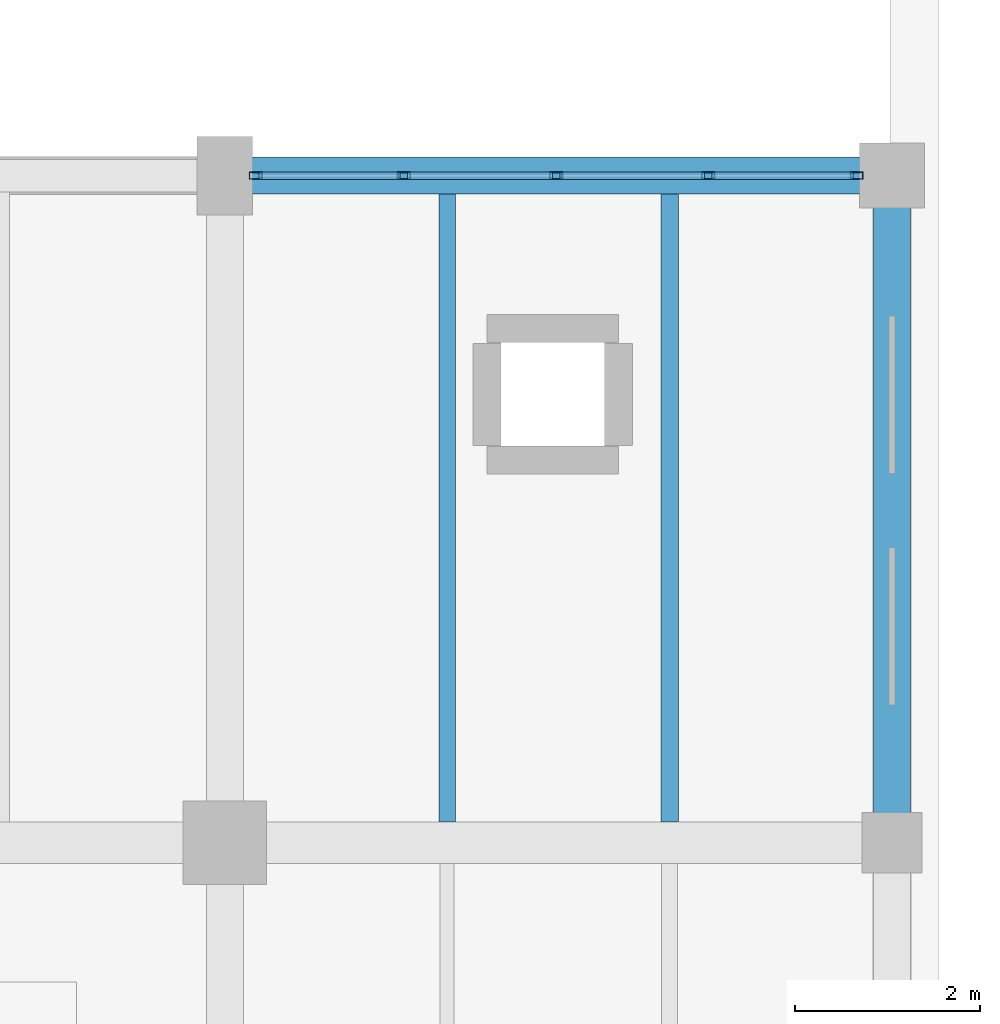
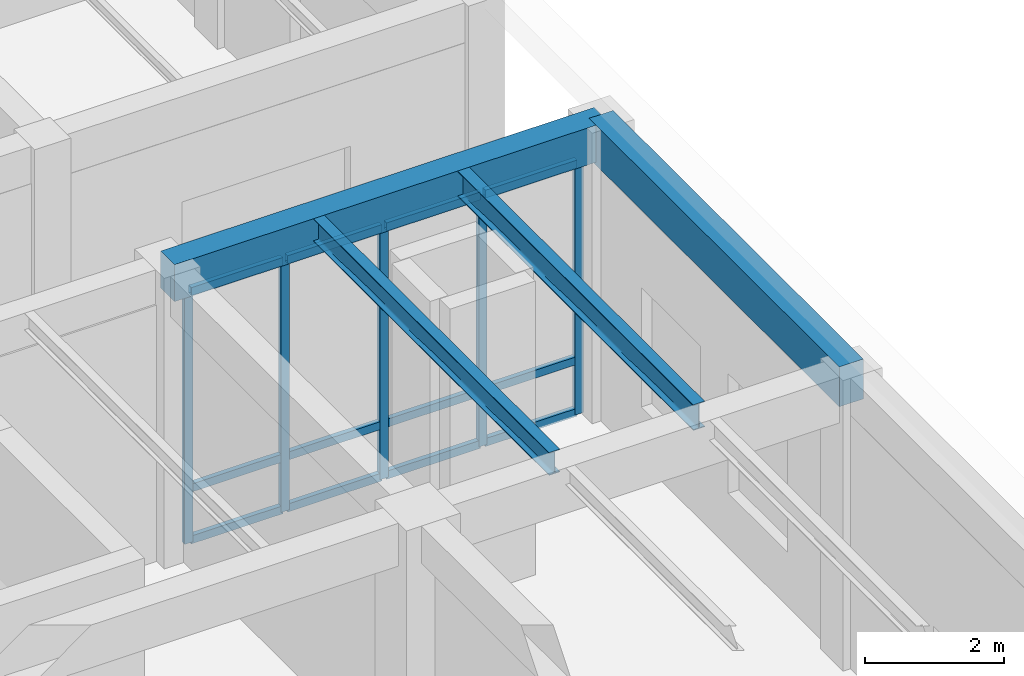
# One storey, part 92 of 169: 17 members, 4 beams, 1 element without a shape of its own.
"""IFC4 building model written with IfcOpenShell, lengths in metres."""

from ifc_helpers import new_model, si_unit, direction, frame, origin, origin_2d, place, context, subcontext, project, spatial, rectangle, hollow_rectangle, i_section, extrude, material, layer, layer_set, material_profile, profile_set, type_object, element, aggregate, save


model = new_model("IFC4")

# Units and contexts
model_context = context("Model", 3, precision=1e-05, world=origin(), true_north=direction((0.0, 1.0)))
body_context = subcontext(model_context, "Body", "Model", "MODEL_VIEW")
ifc_project = project(units=[si_unit("LENGTHUNIT", "METRE"), si_unit("AREAUNIT", "SQUARE_METRE"), si_unit("VOLUMEUNIT", "CUBIC_METRE"), si_unit("PLANEANGLEUNIT", "RADIAN"), si_unit("MASSUNIT", "GRAM", prefix="KILO")], contexts=[model_context])

# Site, building, storey
site_placement = place(None, origin())
site = spatial("IfcSite", under=ifc_project, at=site_placement, CompositionType="ELEMENT")
building_placement = place(site_placement, origin())
building = spatial("IfcBuilding", under=site, at=building_placement, Name="Mazaris Harbour Polytechnic", CompositionType="ELEMENT")
storey_placement = place(building_placement, origin())
storey = spatial("IfcBuildingStorey", under=building, at=storey_placement, Name="L00", CompositionType="ELEMENT", Elevation=0.0)

# Curtain wall, members
ifc_material_1 = material(Name="Anodised Bronze Aluminium and Low-E Glass", Category="aluminium")
ifc_layer = layer(ifc_material_1, 0.159912109375, Name="Anodised Bronze Aluminium and Low-E Glass")
ifc_layer_set = layer_set([ifc_layer], Name="Anodised Bronze Aluminium and Low-E Glass")
curtain_wall_type = type_object("IfcCurtainWallType", Name="Cloister Court Curtain Wall", PredefinedType="NOTDEFINED", material=ifc_layer_set)
curtain_wall_placement = place(storey_placement, origin())
curtain_wall = element("IfcCurtainWall", 1, at=curtain_wall_placement, inside=storey, type_object=curtain_wall_type, Name="V2 L00 Curtain Wall 40", PredefinedType="NOTDEFINED")
ifc_material_2 = material(Name="Anodised Bronze Steel S355", Category="steel")
ifc_material_profile_1 = material_profile(ifc_material_2, hollow_rectangle(XDim=0.080078125, YDim=0.139892578125, WallThickness=0.00634765625, at=origin_2d()), Name="RHS 80x140x6.3")
ifc_profile_set_1 = profile_set([ifc_material_profile_1], Name="Anodised Bronze Steel S355")
member_type_1 = type_object("IfcMemberType", Name="Curtain Mullion RHS80x140", PredefinedType="MULLION", material=ifc_profile_set_1)
member_1_placement = place(storey_placement, frame((165.931884765625, 43.199951171875, 0.0), z_axis=(0.0, 0.0, 1.0), x_axis=(0.0, 1.0, 0.0)))
member_1 = element("IfcMember", 2, at=member_1_placement, type_object=member_type_1, Name="CW-02 mullion 1", PredefinedType="MULLION", context=body_context, shape_type="SweptSolid", body=[
    extrude(hollow_rectangle(XDim=0.080078125, YDim=0.139892578125, WallThickness=0.00634765625, at=origin_2d()), origin(), (0.0, 0.0, 1.0), 4.43994140625),
])
member_2_placement = place(storey_placement, frame((167.533447265625, 43.199951171875, 0.0), z_axis=(0.0, 0.0, 1.0), x_axis=(0.0, 1.0, 0.0)))
member_2 = element("IfcMember", 3, at=member_2_placement, type_object=member_type_1, Name="CW-02 mullion 2", PredefinedType="MULLION", context=body_context, shape_type="SweptSolid", body=[
    extrude(hollow_rectangle(XDim=0.080078125, YDim=0.139892578125, WallThickness=0.00634765625, at=origin_2d()), origin(), (0.0, 0.0, 1.0), 4.43994140625),
])
member_3_placement = place(storey_placement, frame((169.175048828125, 43.199951171875, 0.0), z_axis=(0.0, 0.0, 1.0), x_axis=(0.0, 1.0, 0.0)))
member_3 = element("IfcMember", 4, at=member_3_placement, type_object=member_type_1, Name="CW-02 mullion 3", PredefinedType="MULLION", context=body_context, shape_type="SweptSolid", body=[
    extrude(hollow_rectangle(XDim=0.080078125, YDim=0.139892578125, WallThickness=0.00634765625, at=origin_2d()), origin(), (0.0, 0.0, 1.0), 4.43994140625),
])
member_4_placement = place(storey_placement, frame((170.81640625, 43.199951171875, 0.0), z_axis=(0.0, 0.0, 1.0), x_axis=(0.0, 1.0, 0.0)))
member_4 = element("IfcMember", 5, at=member_4_placement, type_object=member_type_1, Name="CW-02 mullion 4", PredefinedType="MULLION", context=body_context, shape_type="SweptSolid", body=[
    extrude(hollow_rectangle(XDim=0.080078125, YDim=0.139892578125, WallThickness=0.00634765625, at=origin_2d()), origin(), (0.0, 0.0, 1.0), 4.43994140625),
])
member_5_placement = place(storey_placement, frame((172.41796875, 43.199951171875, 0.0), z_axis=(0.0, 0.0, 1.0), x_axis=(0.0, 1.0, 0.0)))
member_5 = element("IfcMember", 6, at=member_5_placement, type_object=member_type_1, Name="CW-02 mullion 5", PredefinedType="MULLION", context=body_context, shape_type="SweptSolid", body=[
    extrude(hollow_rectangle(XDim=0.080078125, YDim=0.139892578125, WallThickness=0.00634765625, at=origin_2d()), origin(), (0.0, 0.0, 1.0), 4.43994140625),
])
ifc_material_3 = material(Name="Anodised Bronze Steel S355", Category="steel")
ifc_material_profile_2 = material_profile(ifc_material_3, hollow_rectangle(XDim=0.080078125, YDim=0.139892578125, WallThickness=0.00634765625, at=origin_2d()), Name="RHS 80x140x6.3")
ifc_profile_set_2 = profile_set([ifc_material_profile_2], Name="Anodised Bronze Steel S355")
member_type_2 = type_object("IfcMemberType", Name="Curtain Transom RHS80x140", PredefinedType="USERDEFINED", material=ifc_profile_set_2)
member_6_placement = place(storey_placement, frame((165.971923828125, 43.199951171875, 0.0400390625), z_axis=(1.0, 0.0, 0.0), x_axis=(0.0, 1.0, 0.0)))
member_6 = element("IfcMember", 7, at=member_6_placement, type_object=member_type_2, Name="CW-02 transom 1.1", ObjectType="TRANSOM", PredefinedType="USERDEFINED", context=body_context, shape_type="SweptSolid", body=[
    extrude(hollow_rectangle(XDim=0.080078125, YDim=0.139892578125, WallThickness=0.00634765625, at=origin_2d()), origin(), (0.0, 0.0, 1.0), 1.521484375),
])
member_7_placement = place(storey_placement, frame((165.971923828125, 43.199951171875, 0.949951171875), z_axis=(1.0, 0.0, 0.0), x_axis=(0.0, 1.0, 0.0)))
member_7 = element("IfcMember", 8, at=member_7_placement, type_object=member_type_2, Name="CW-02 transom 1.2", ObjectType="TRANSOM", PredefinedType="USERDEFINED", context=body_context, shape_type="SweptSolid", body=[
    extrude(hollow_rectangle(XDim=0.080078125, YDim=0.139892578125, WallThickness=0.00634765625, at=origin_2d()), origin(), (0.0, 0.0, 1.0), 1.521484375),
])
member_8_placement = place(storey_placement, frame((165.971923828125, 43.199951171875, 4.39990234375), z_axis=(1.0, 0.0, 0.0), x_axis=(0.0, 1.0, 0.0)))
member_8 = element("IfcMember", 9, at=member_8_placement, type_object=member_type_2, Name="CW-02 transom 1.3", ObjectType="TRANSOM", PredefinedType="USERDEFINED", context=body_context, shape_type="SweptSolid", body=[
    extrude(hollow_rectangle(XDim=0.080078125, YDim=0.139892578125, WallThickness=0.00634765625, at=origin_2d()), origin(), (0.0, 0.0, 1.0), 1.521484375),
])
member_9_placement = place(storey_placement, frame((167.573486328125, 43.199951171875, 0.0400390625), z_axis=(1.0, 0.0, 0.0), x_axis=(0.0, 1.0, 0.0)))
member_9 = element("IfcMember", 10, at=member_9_placement, type_object=member_type_2, Name="CW-02 transom 2.1", ObjectType="TRANSOM", PredefinedType="USERDEFINED", context=body_context, shape_type="SweptSolid", body=[
    extrude(hollow_rectangle(XDim=0.080078125, YDim=0.139892578125, WallThickness=0.00634765625, at=origin_2d()), origin(), (0.0, 0.0, 1.0), 1.5615234375),
])
member_10_placement = place(storey_placement, frame((167.573486328125, 43.199951171875, 0.949951171875), z_axis=(1.0, 0.0, 0.0), x_axis=(0.0, 1.0, 0.0)))
member_10 = element("IfcMember", 11, at=member_10_placement, type_object=member_type_2, Name="CW-02 transom 2.2", ObjectType="TRANSOM", PredefinedType="USERDEFINED", context=body_context, shape_type="SweptSolid", body=[
    extrude(hollow_rectangle(XDim=0.080078125, YDim=0.139892578125, WallThickness=0.00634765625, at=origin_2d()), origin(), (0.0, 0.0, 1.0), 1.5615234375),
])
member_11_placement = place(storey_placement, frame((167.573486328125, 43.199951171875, 4.39990234375), z_axis=(1.0, 0.0, 0.0), x_axis=(0.0, 1.0, 0.0)))
member_11 = element("IfcMember", 12, at=member_11_placement, type_object=member_type_2, Name="CW-02 transom 2.3", ObjectType="TRANSOM", PredefinedType="USERDEFINED", context=body_context, shape_type="SweptSolid", body=[
    extrude(hollow_rectangle(XDim=0.080078125, YDim=0.139892578125, WallThickness=0.00634765625, at=origin_2d()), origin(), (0.0, 0.0, 1.0), 1.5615234375),
])
member_12_placement = place(storey_placement, frame((169.215087890625, 43.199951171875, 0.0400390625), z_axis=(1.0, 0.0, 0.0), x_axis=(0.0, 1.0, 0.0)))
member_12 = element("IfcMember", 13, at=member_12_placement, type_object=member_type_2, Name="CW-02 transom 3.1", ObjectType="TRANSOM", PredefinedType="USERDEFINED", context=body_context, shape_type="SweptSolid", body=[
    extrude(hollow_rectangle(XDim=0.080078125, YDim=0.139892578125, WallThickness=0.00634765625, at=origin_2d()), origin(), (0.0, 0.0, 1.0), 1.5615234375),
])
member_13_placement = place(storey_placement, frame((169.215087890625, 43.199951171875, 0.949951171875), z_axis=(1.0, 0.0, 0.0), x_axis=(0.0, 1.0, 0.0)))
member_13 = element("IfcMember", 14, at=member_13_placement, type_object=member_type_2, Name="CW-02 transom 3.2", ObjectType="TRANSOM", PredefinedType="USERDEFINED", context=body_context, shape_type="SweptSolid", body=[
    extrude(hollow_rectangle(XDim=0.080078125, YDim=0.139892578125, WallThickness=0.00634765625, at=origin_2d()), origin(), (0.0, 0.0, 1.0), 1.5615234375),
])
member_14_placement = place(storey_placement, frame((169.215087890625, 43.199951171875, 4.39990234375), z_axis=(1.0, 0.0, 0.0), x_axis=(0.0, 1.0, 0.0)))
member_14 = element("IfcMember", 15, at=member_14_placement, type_object=member_type_2, Name="CW-02 transom 3.3", ObjectType="TRANSOM", PredefinedType="USERDEFINED", context=body_context, shape_type="SweptSolid", body=[
    extrude(hollow_rectangle(XDim=0.080078125, YDim=0.139892578125, WallThickness=0.00634765625, at=origin_2d()), origin(), (0.0, 0.0, 1.0), 1.5615234375),
])
member_15_placement = place(storey_placement, frame((170.8564453125, 43.199951171875, 0.0400390625), z_axis=(1.0, 0.0, 0.0), x_axis=(0.0, 1.0, 0.0)))
member_15 = element("IfcMember", 16, at=member_15_placement, type_object=member_type_2, Name="CW-02 transom 4.1", ObjectType="TRANSOM", PredefinedType="USERDEFINED", context=body_context, shape_type="SweptSolid", body=[
    extrude(hollow_rectangle(XDim=0.080078125, YDim=0.139892578125, WallThickness=0.00634765625, at=origin_2d()), origin(), (0.0, 0.0, 1.0), 1.521484375),
])
member_16_placement = place(storey_placement, frame((170.8564453125, 43.199951171875, 0.949951171875), z_axis=(1.0, 0.0, 0.0), x_axis=(0.0, 1.0, 0.0)))
member_16 = element("IfcMember", 17, at=member_16_placement, type_object=member_type_2, Name="CW-02 transom 4.2", ObjectType="TRANSOM", PredefinedType="USERDEFINED", context=body_context, shape_type="SweptSolid", body=[
    extrude(hollow_rectangle(XDim=0.080078125, YDim=0.139892578125, WallThickness=0.00634765625, at=origin_2d()), origin(), (0.0, 0.0, 1.0), 1.521484375),
])
member_17_placement = place(storey_placement, frame((170.8564453125, 43.199951171875, 4.39990234375), z_axis=(1.0, 0.0, 0.0), x_axis=(0.0, 1.0, 0.0)))
member_17 = element("IfcMember", 18, at=member_17_placement, type_object=member_type_2, Name="CW-02 transom 4.3", ObjectType="TRANSOM", PredefinedType="USERDEFINED", context=body_context, shape_type="SweptSolid", body=[
    extrude(hollow_rectangle(XDim=0.080078125, YDim=0.139892578125, WallThickness=0.00634765625, at=origin_2d()), origin(), (0.0, 0.0, 1.0), 1.521484375),
])
aggregate(curtain_wall, [member_1, member_2, member_3, member_4, member_5, member_6, member_7, member_8, member_9, member_10, member_11, member_12, member_13, member_14, member_15, member_16, member_17])

# Beams
ifc_material_4 = material(Name="Concrete C35/45", Category="concrete")
ifc_material_profile_3 = material_profile(ifc_material_4, rectangle(XDim=0.39990234375, YDim=0.64990234375, at=origin_2d()), Name="RECT400x650")
ifc_profile_set_3 = profile_set([ifc_material_profile_3], Name="Concrete C35/45")
beam_type_1 = type_object("IfcBeamType", Name="RC Girder 400x650 Exterior", PredefinedType="BEAM", material=ifc_profile_set_3)
beam_1_placement = place(storey_placement, frame((165.60009765625, 43.199951171875, 4.77490234375), z_axis=(1.0, 0.0, 0.0), x_axis=(0.0, 1.0, 0.0)))
element("IfcBeam", 19, at=beam_1_placement, inside=storey, type_object=beam_type_1, Name="V2 L00 Girder 451", PredefinedType="BEAM", context=body_context, shape_type="SweptSolid", body=[
    extrude(rectangle(XDim=0.39990234375, YDim=0.64990234375, at=origin_2d()), origin(), (0.0, 0.0, 1.0), 7.199951171875),
])
ifc_material_5 = material(Name="Concrete C35/45", Category="concrete")
ifc_material_profile_4 = material_profile(ifc_material_5, rectangle(XDim=0.39990234375, YDim=0.699951171875, at=origin_2d()), Name="RECT400x700")
ifc_profile_set_4 = profile_set([ifc_material_profile_4], Name="Concrete C35/45")
beam_type_2 = type_object("IfcBeamType", Name="RC Girder 400x700 Exterior", PredefinedType="BEAM", material=ifc_profile_set_4)
beam_2_placement = place(storey_placement, frame((172.800048828125, 36.0, 4.75), z_axis=(0.0, 1.0, 0.0), x_axis=(-1.0, 0.0, 0.0)))
element("IfcBeam", 20, at=beam_2_placement, inside=storey, type_object=beam_type_2, Name="V2 L00 Tie Girder 477", PredefinedType="BEAM", context=body_context, shape_type="SweptSolid", body=[
    extrude(rectangle(XDim=0.39990234375, YDim=0.699951171875, at=origin_2d()), origin(), (0.0, 0.0, 1.0), 7.199951171875),
])
ifc_material_6 = material(Name="Steel S355", Category="steel")
ifc_material_profile_5 = material_profile(ifc_material_6, i_section(OverallWidth=0.179931640625, OverallDepth=0.39990234375, WebThickness=0.008544921875, FlangeThickness=0.013427734375, FilletRadius=0.02099609375, at=origin_2d()), Name="IPE 400")
ifc_profile_set_5 = profile_set([ifc_material_profile_5], Name="Steel S355")
beam_type_3 = type_object("IfcBeamType", Name="Steel Joist IPE400", PredefinedType="JOIST", material=ifc_profile_set_5)
beam_3_placement = place(storey_placement, frame((168.0, 36.22509765625, 4.89990234375), z_axis=(0.0, 1.0, 0.0), x_axis=(-1.0, 0.0, 0.0)))
element("IfcBeam", 21, at=beam_3_placement, inside=storey, type_object=beam_type_3, Name="V2 L00 Floor Joist 509", PredefinedType="JOIST", context=body_context, shape_type="SweptSolid", body=[
    extrude(i_section(OverallWidth=0.179931640625, OverallDepth=0.39990234375, WebThickness=0.008544921875, FlangeThickness=0.013427734375, FilletRadius=0.02099609375, at=origin_2d()), origin(), (0.0, 0.0, 1.0), 6.77490234375),
])
ifc_material_7 = material(Name="Steel S355", Category="steel")
ifc_material_profile_6 = material_profile(ifc_material_7, i_section(OverallWidth=0.18994140625, OverallDepth=0.449951171875, WebThickness=0.009521484375, FlangeThickness=0.0146484375, FilletRadius=0.02099609375, at=origin_2d()), Name="IPE 450")
ifc_profile_set_6 = profile_set([ifc_material_profile_6], Name="Steel S355")
beam_type_4 = type_object("IfcBeamType", Name="Steel Joist IPE450", PredefinedType="JOIST", material=ifc_profile_set_6)
beam_4_placement = place(storey_placement, frame((170.39990234375, 36.22509765625, 4.875), z_axis=(0.0, 1.0, 0.0), x_axis=(-1.0, 0.0, 0.0)))
element("IfcBeam", 22, at=beam_4_placement, inside=storey, type_object=beam_type_4, Name="V2 L00 Floor Joist 510", PredefinedType="JOIST", context=body_context, shape_type="SweptSolid", body=[
    extrude(i_section(OverallWidth=0.18994140625, OverallDepth=0.449951171875, WebThickness=0.009521484375, FlangeThickness=0.0146484375, FilletRadius=0.02099609375, at=origin_2d()), origin(), (0.0, 0.0, 1.0), 6.77490234375),
])

save(model, "model.ifc")
